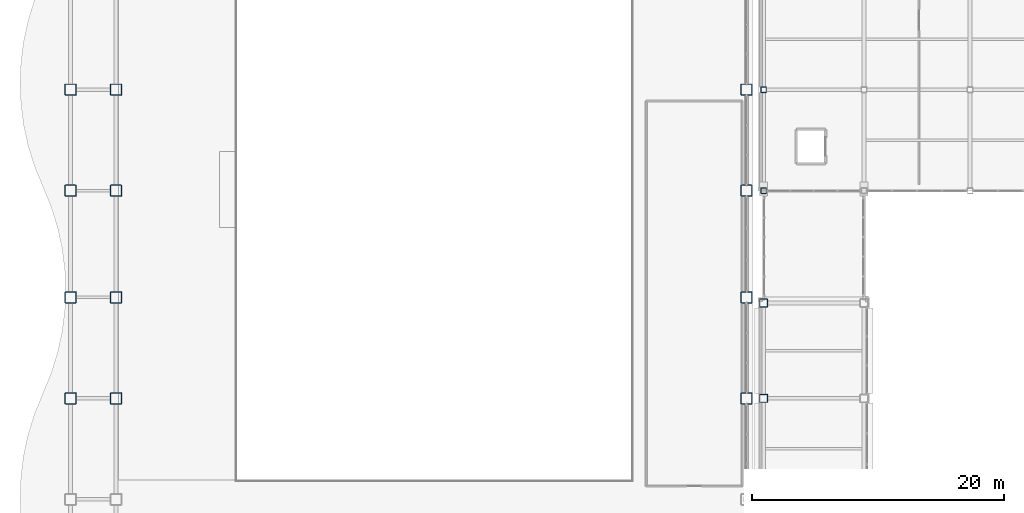
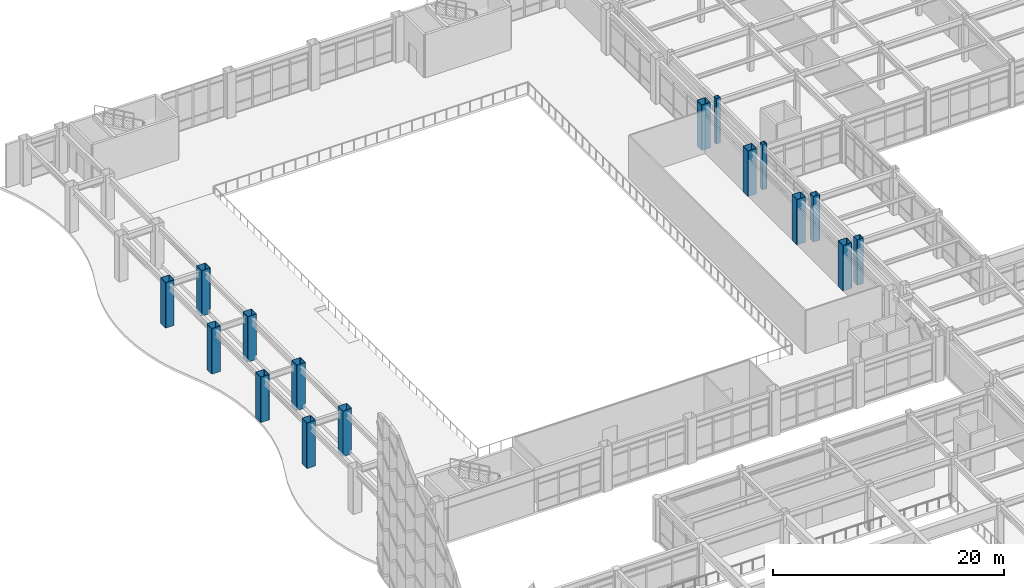
# One storey, part 3 of 172: 16 columns.
"""IFC4 building model written with IfcOpenShell, lengths in metres."""

from ifc_helpers import new_model, si_unit, direction, frame, origin, origin_2d, place, context, subcontext, project, spatial, hollow_rectangle, extrude, material, material_profile, profile_set, type_object, element, save


model = new_model("IFC4")

# Units and contexts
model_context = context("Model", 3, precision=1e-05, world=origin(), true_north=direction((0.0, 1.0)))
body_context = subcontext(model_context, "Body", "Model", "MODEL_VIEW")
ifc_project = project(units=[si_unit("LENGTHUNIT", "METRE"), si_unit("AREAUNIT", "SQUARE_METRE"), si_unit("VOLUMEUNIT", "CUBIC_METRE"), si_unit("PLANEANGLEUNIT", "RADIAN"), si_unit("MASSUNIT", "GRAM", prefix="KILO")], contexts=[model_context])

# Site, building, storey
site_placement = place(None, origin())
site = spatial("IfcSite", under=ifc_project, at=site_placement, CompositionType="ELEMENT")
building_placement = place(site_placement, origin())
building = spatial("IfcBuilding", under=site, at=building_placement, Name="Kazehara Bluff Congress Hotel", CompositionType="ELEMENT")
storey_placement = place(building_placement, frame((0.0, 0.0, 5.39990234375)))
storey = spatial("IfcBuildingStorey", under=building, at=storey_placement, Name="L01", CompositionType="ELEMENT", Elevation=5.39990234375)

# Columns
ifc_material_1 = material(Name="Steel BCR295", Category="steel")
ifc_material_profile_1 = material_profile(ifc_material_1, hollow_rectangle(XDim=0.89990234375, YDim=0.89990234375, WallThickness=0.031982421875, InnerFilletRadius=0.031982421875, OuterFilletRadius=0.06396484375, at=origin_2d()))
ifc_profile_set_1 = profile_set([ifc_material_profile_1], Name="Steel BCR295")
column_type_1 = type_object("IfcColumnType", Name="TP-C-01", PredefinedType="COLUMN", material=ifc_profile_set_1)
for number, where, z_axis, x_axis, name in (
    (1, (4.800048828125, 64.449951171875, 0.0), (0.0, 0.0, 1.0), (1.0, 0.0, 0.0), "L01 mega-column C-01 (4.80,64.45)"),
    (2, (4.800048828125, 72.449951171875, 0.0), (0.0, 0.0, 1.0), (1.0, 0.0, 0.0), "L01 mega-column C-01 (4.80,72.45)"),
    (3, (4.800048828125, 80.89990234375, 0.0), (0.0, 0.0, 1.0), (1.0, 0.0, 0.0), "L01 mega-column C-01 (4.80,80.90)"),
    (4, (4.800048828125, 88.89990234375, 0.0), (0.0, 0.0, 1.0), (1.0, 0.0, 0.0), "L01 mega-column C-01 (4.80,88.90)"),
    (5, (8.39990234375, 64.449951171875, 0.0), (0.0, 0.0, 1.0), (1.0, 0.0, 0.0), "L01 mega-column C-01 (8.40,64.45)"),
    (6, (8.39990234375, 72.449951171875, 0.0), (0.0, 0.0, 1.0), (1.0, 0.0, 0.0), "L01 mega-column C-01 (8.40,72.45)"),
    (7, (8.39990234375, 80.89990234375, 0.0), (0.0, 0.0, 1.0), (1.0, 0.0, 0.0), "L01 mega-column C-01 (8.40,80.90)"),
    (8, (8.39990234375, 88.89990234375, 0.0), (0.0, 0.0, 1.0), (1.0, 0.0, 0.0), "L01 mega-column C-01 (8.40,88.90)"),
    (9, (58.35009765625, 64.449951171875, 0.0), (0.0, 0.0, 1.0), (1.0, 0.0, 0.0), "L01 mega-column C-01 (58.35,64.45)"),
    (10, (58.35009765625, 72.449951171875, 0.0), (0.0, 0.0, 1.0), (1.0, 0.0, 0.0), "L01 mega-column C-01 (58.35,72.45)"),
    (11, (58.35009765625, 80.89990234375, 0.0), (0.0, 0.0, 1.0), (1.0, 0.0, 0.0), "L01 mega-column C-01 (58.35,80.90)"),
    (12, (58.35009765625, 88.89990234375, 0.0), (0.0, 0.0, 1.0), (1.0, 0.0, 0.0), "L01 mega-column C-01 (58.35,88.90)"),
):
    element("IfcColumn", number, at=place(storey_placement, frame(where, z_axis=z_axis, x_axis=x_axis)), inside=storey, type_object=column_type_1, Name=name, PredefinedType="COLUMN", context=body_context, shape_type="SweptSolid", body=[
        extrude(hollow_rectangle(XDim=0.89990234375, YDim=0.89990234375, WallThickness=0.031982421875, InnerFilletRadius=0.031982421875, OuterFilletRadius=0.06396484375, at=origin_2d()), origin(), (0.0, 0.0, 1.0), 4.800048828125),
    ])
ifc_material_2 = material(Name="Steel BCR295", Category="steel")
ifc_material_profile_2 = material_profile(ifc_material_2, hollow_rectangle(XDim=0.64990234375, YDim=0.64990234375, WallThickness=0.02490234375, InnerFilletRadius=0.02490234375, OuterFilletRadius=0.050048828125, at=origin_2d()))
ifc_profile_set_2 = profile_set([ifc_material_profile_2], Name="Steel BCR295")
column_type_2 = type_object("IfcColumnType", Name="TP-C-04", PredefinedType="COLUMN", material=ifc_profile_set_2)
for number, where, z_axis, x_axis, name in (
    (13, (59.699951171875, 64.449951171875, 0.0), (0.0, 0.0, 1.0), (1.0, 0.0, 0.0), "L01 column C-04 (59.70,64.45)"),
    (14, (59.699951171875, 72.0, 0.0), (0.0, 0.0, 1.0), (1.0, 0.0, 0.0), "L01 column C-04 (59.70,72.00)"),
):
    element("IfcColumn", number, at=place(storey_placement, frame(where, z_axis=z_axis, x_axis=x_axis)), inside=storey, type_object=column_type_2, Name=name, PredefinedType="COLUMN", context=body_context, shape_type="SweptSolid", body=[
        extrude(hollow_rectangle(XDim=0.64990234375, YDim=0.64990234375, WallThickness=0.02490234375, InnerFilletRadius=0.02490234375, OuterFilletRadius=0.050048828125, at=origin_2d()), origin(), (0.0, 0.0, 1.0), 4.800048828125),
    ])
ifc_material_3 = material(Name="Steel BCR295", Category="steel")
ifc_material_profile_3 = material_profile(ifc_material_3, hollow_rectangle(XDim=0.449951171875, YDim=0.449951171875, WallThickness=0.01904296875, InnerFilletRadius=0.01904296875, OuterFilletRadius=0.0380859375, at=origin_2d()))
ifc_profile_set_3 = profile_set([ifc_material_profile_3], Name="Steel BCR295")
column_type_3 = type_object("IfcColumnType", Name="TP-C-08", PredefinedType="COLUMN", material=ifc_profile_set_3)
for number, where, z_axis, x_axis, name in (
    (15, (59.699951171875, 80.89990234375, 0.0), (0.0, 0.0, 1.0), (1.0, 0.0, 0.0), "L01 column C-08 (59.70,80.90)"),
    (16, (59.699951171875, 88.89990234375, 0.0), (0.0, 0.0, 1.0), (1.0, 0.0, 0.0), "L01 column C-08 (59.70,88.90)"),
):
    element("IfcColumn", number, at=place(storey_placement, frame(where, z_axis=z_axis, x_axis=x_axis)), inside=storey, type_object=column_type_3, Name=name, PredefinedType="COLUMN", context=body_context, shape_type="SweptSolid", body=[
        extrude(hollow_rectangle(XDim=0.449951171875, YDim=0.449951171875, WallThickness=0.01904296875, InnerFilletRadius=0.01904296875, OuterFilletRadius=0.0380859375, at=origin_2d()), origin(), (0.0, 0.0, 1.0), 4.800048828125),
    ])

save(model, "model.ifc")
